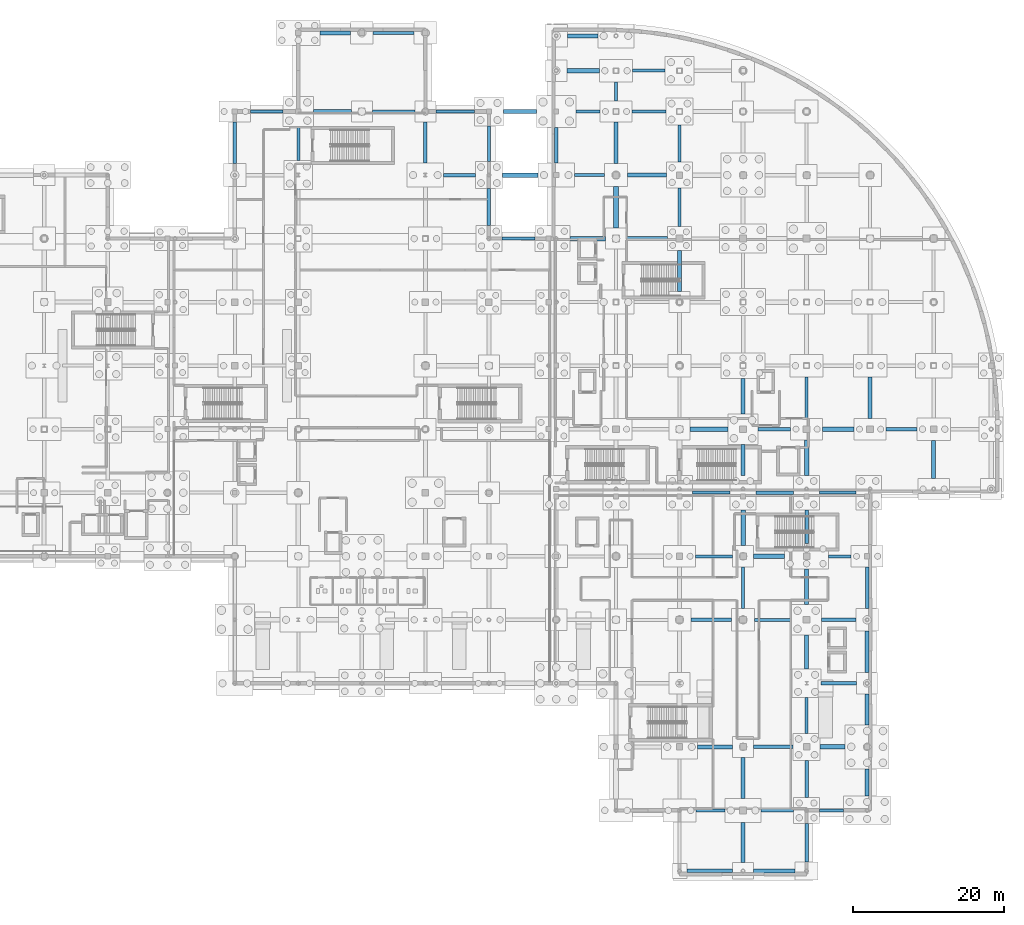
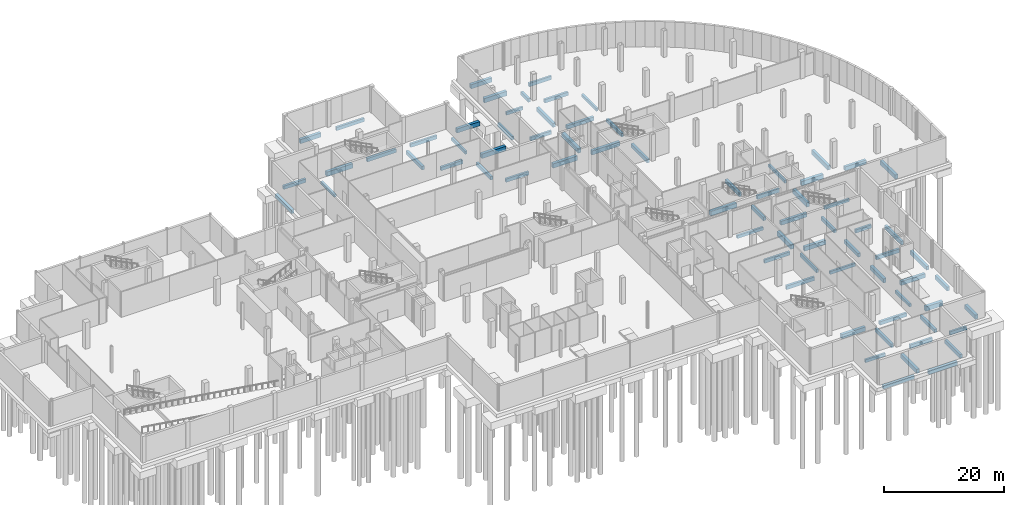
# One storey, part 23 of 49: 73 beams.
"""IFC4 building model written with IfcOpenShell, lengths in metres."""

from ifc_helpers import new_model, si_unit, direction, frame, origin, origin_2d, place, context, subcontext, project, spatial, rectangle, extrude, material, material_profile, profile_set, type_object, element, save


model = new_model("IFC4")

# Units and contexts
model_context = context("Model", 3, precision=1e-05, world=origin(), true_north=direction((0.0, 1.0)))
body_context = subcontext(model_context, "Body", "Model", "MODEL_VIEW")
ifc_project = project(units=[si_unit("LENGTHUNIT", "METRE"), si_unit("AREAUNIT", "SQUARE_METRE"), si_unit("VOLUMEUNIT", "CUBIC_METRE"), si_unit("PLANEANGLEUNIT", "RADIAN"), si_unit("MASSUNIT", "GRAM", prefix="KILO"), si_unit("THERMODYNAMICTEMPERATUREUNIT", "KELVIN")], contexts=[model_context])

# Site, building, storey
site_placement = place(None, origin())
site = spatial("IfcSite", under=ifc_project, at=site_placement, CompositionType="ELEMENT")
building_placement = place(site_placement, origin())
building = spatial("IfcBuilding", under=site, at=building_placement, Name="Lustrewick Department Store", CompositionType="ELEMENT")
storey_placement = place(building_placement, frame((0.0, 0.0, -5.39990234375)))
storey = spatial("IfcBuildingStorey", under=building, at=storey_placement, Name="B1", CompositionType="ELEMENT", Elevation=-5.39990234375)

# Beams
ifc_material = material(Name="Concrete C40", Category="concrete")
ifc_material_profile_1 = material_profile(ifc_material, rectangle(XDim=0.60009765625, YDim=0.89990234375, at=origin_2d()), Name="RC 600x900")
ifc_profile_set_1 = profile_set([ifc_material_profile_1], Name="Concrete C40")
beam_type_1 = type_object("IfcBeamType", Name="GB01", PredefinedType="BEAM", material=ifc_profile_set_1)
beam_1_placement = place(storey_placement, frame((77.60009765625, 100.800048828125, -1.150146484375), z_axis=(1.0, 0.0, 0.0), x_axis=(0.0, 1.0, 0.0)))
element("IfcBeam", 1, at=beam_1_placement, inside=storey, type_object=beam_type_1, Name="Ground Tie Beam GB01 0081", PredefinedType="BEAM", context=body_context, shape_type="SweptSolid", body=[
    extrude(rectangle(XDim=0.60009765625, YDim=0.89990234375, at=origin_2d()), origin(), (0.0, 0.0, 1.0), 5.0),
])
for number, where, z_axis, x_axis, name in (
    (2, (102.60009765625, 92.39990234375, -1.150146484375), (1.0, 0.0, 0.0), (0.0, 1.0, 0.0), "Ground Tie Beam GB01 0121"),
    (3, (111.5, 84.0, -1.150146484375), (1.0, 0.0, 0.0), (0.0, 1.0, 0.0), "Ground Tie Beam GB01 0129"),
):
    element("IfcBeam", number, at=place(storey_placement, frame(where, z_axis=z_axis, x_axis=x_axis)), inside=storey, type_object=beam_type_1, Name=name, PredefinedType="BEAM", context=body_context, shape_type="SweptSolid", body=[
        extrude(rectangle(XDim=0.60009765625, YDim=0.89990234375, at=origin_2d()), origin(), (0.0, 0.0, 1.0), 4.699951171875),
    ])
beam_2_placement = place(storey_placement, frame((134.39990234375, 43.39990234375, -1.150146484375), z_axis=(0.0, 1.0, 0.0), x_axis=(-1.0, 0.0, 0.0)))
element("IfcBeam", 4, at=beam_2_placement, inside=storey, type_object=beam_type_1, Name="Ground Tie Beam GB01 0169", PredefinedType="BEAM", context=body_context, shape_type="SweptSolid", body=[
    extrude(rectangle(XDim=0.60009765625, YDim=0.89990234375, at=origin_2d()), origin(), (0.0, 0.0, 1.0), 4.7001953125),
])
beam_3_placement = place(storey_placement, frame((144.60009765625, 16.800048828125, -1.150146484375), z_axis=(1.0, 0.0, 0.0), x_axis=(0.0, 1.0, 0.0)))
element("IfcBeam", 5, at=beam_3_placement, inside=storey, type_object=beam_type_1, Name="Ground Tie Beam GB01 0177", PredefinedType="BEAM", context=body_context, shape_type="SweptSolid", body=[
    extrude(rectangle(XDim=0.60009765625, YDim=0.89990234375, at=origin_2d()), origin(), (0.0, 0.0, 1.0), 3.2998046875),
])
beam_4_placement = place(storey_placement, frame((142.800048828125, 52.699951171875, -1.150146484375), z_axis=(0.0, 1.0, 0.0), x_axis=(-1.0, 0.0, 0.0)))
element("IfcBeam", 6, at=beam_4_placement, inside=storey, type_object=beam_type_1, Name="Ground Tie Beam GB01 0185", PredefinedType="BEAM", context=body_context, shape_type="SweptSolid", body=[
    extrude(rectangle(XDim=0.60009765625, YDim=0.89990234375, at=origin_2d()), origin(), (0.0, 0.0, 1.0), 4.699951171875),
])
beam_5_placement = place(storey_placement, frame((111.10009765625, 106.199951171875, -1.150146484375), z_axis=(1.0, 0.0, 0.0), x_axis=(0.0, 1.0, 0.0)))
element("IfcBeam", 7, at=beam_5_placement, inside=storey, type_object=beam_type_1, Name="Ground Tie Beam GB01 0193", PredefinedType="BEAM", context=body_context, shape_type="SweptSolid", body=[
    extrude(rectangle(XDim=0.60009765625, YDim=0.89990234375, at=origin_2d()), origin(), (0.0, 0.0, 1.0), 4.2998046875),
])
beam_6_placement = place(storey_placement, frame((117.60009765625, 85.39990234375, -1.150146484375), z_axis=(0.0, 1.0, 0.0), x_axis=(-1.0, 0.0, 0.0)))
element("IfcBeam", 8, at=beam_6_placement, inside=storey, type_object=beam_type_1, Name="Ground Tie Beam GB01 0201", PredefinedType="BEAM", context=body_context, shape_type="SweptSolid", body=[
    extrude(rectangle(XDim=0.60009765625, YDim=0.89990234375, at=origin_2d()), origin(), (0.0, 0.0, 1.0), 5.5),
])
beam_7_placement = place(storey_placement, frame((127.39990234375, 58.800048828125, -1.150146484375), z_axis=(1.0, 0.0, 0.0), x_axis=(0.0, 1.0, 0.0)))
element("IfcBeam", 9, at=beam_7_placement, inside=storey, type_object=beam_type_1, Name="Ground Tie Beam GB01 0209", PredefinedType="BEAM", context=body_context, shape_type="SweptSolid", body=[
    extrude(rectangle(XDim=0.60009765625, YDim=0.89990234375, at=origin_2d()), origin(), (0.0, 0.0, 1.0), 5.0),
])
beam_8_placement = place(storey_placement, frame((144.89990234375, 58.800048828125, -1.150146484375), z_axis=(1.0, 0.0, 0.0), x_axis=(0.0, 1.0, 0.0)))
element("IfcBeam", 10, at=beam_8_placement, inside=storey, type_object=beam_type_1, Name="Ground Tie Beam GB01 0233", PredefinedType="BEAM", context=body_context, shape_type="SweptSolid", body=[
    extrude(rectangle(XDim=0.60009765625, YDim=0.89990234375, at=origin_2d()), origin(), (0.0, 0.0, 1.0), 4.2001953125),
])
ifc_material_profile_2 = material_profile(ifc_material, rectangle(XDim=0.550048828125, YDim=0.85009765625, at=origin_2d()), Name="RC 550x850")
ifc_profile_set_2 = profile_set([ifc_material_profile_2], Name="Concrete C40")
beam_type_2 = type_object("IfcBeamType", Name="GB02", PredefinedType="BEAM", material=ifc_profile_set_2)
beam_9_placement = place(storey_placement, frame((78.5, 111.199951171875, -1.125), z_axis=(1.0, 0.0, 0.0), x_axis=(0.0, 1.0, 0.0)))
element("IfcBeam", 11, at=beam_9_placement, inside=storey, type_object=beam_type_2, Name="Ground Tie Beam GB02 0082", PredefinedType="BEAM", context=body_context, shape_type="SweptSolid", body=[
    extrude(rectangle(XDim=0.550048828125, YDim=0.85009765625, at=origin_2d()), origin(), (0.0, 0.0, 1.0), 4.0),
])
beam_10_placement = place(storey_placement, frame((102.699951171875, 100.800048828125, -1.125), z_axis=(1.0, 0.0, 0.0), x_axis=(0.0, 1.0, 0.0)))
element("IfcBeam", 12, at=beam_10_placement, inside=storey, type_object=beam_type_2, Name="Ground Tie Beam GB02 0122", PredefinedType="BEAM", context=body_context, shape_type="SweptSolid", body=[
    extrude(rectangle(XDim=0.550048828125, YDim=0.85009765625, at=origin_2d()), origin(), (0.0, 0.0, 1.0), 4.400146484375),
])
beam_11_placement = place(storey_placement, frame((128.39990234375, 16.800048828125, -1.125), z_axis=(1.0, 0.0, 0.0), x_axis=(0.0, 1.0, 0.0)))
element("IfcBeam", 13, at=beam_11_placement, inside=storey, type_object=beam_type_2, Name="Ground Tie Beam GB02 0154", PredefinedType="BEAM", context=body_context, shape_type="SweptSolid", body=[
    extrude(rectangle(XDim=0.550048828125, YDim=0.85009765625, at=origin_2d()), origin(), (0.0, 0.0, 1.0), 4.60009765625),
])
beam_12_placement = place(storey_placement, frame((134.39990234375, 1.5, -1.125), z_axis=(0.0, 1.0, 0.0), x_axis=(-1.0, 0.0, 0.0)))
element("IfcBeam", 14, at=beam_12_placement, inside=storey, type_object=beam_type_2, Name="Ground Tie Beam GB02 0162", PredefinedType="BEAM", context=body_context, shape_type="SweptSolid", body=[
    extrude(rectangle(XDim=0.550048828125, YDim=0.85009765625, at=origin_2d()), origin(), (0.0, 0.0, 1.0), 5.300048828125),
])
beam_13_placement = place(storey_placement, frame((135.800048828125, 42.0, -1.125), z_axis=(1.0, 0.0, 0.0), x_axis=(0.0, 1.0, 0.0)))
element("IfcBeam", 15, at=beam_13_placement, inside=storey, type_object=beam_type_2, Name="Ground Tie Beam GB02 0170", PredefinedType="BEAM", context=body_context, shape_type="SweptSolid", body=[
    extrude(rectangle(XDim=0.550048828125, YDim=0.85009765625, at=origin_2d()), origin(), (0.0, 0.0, 1.0), 4.099853515625),
])
beam_14_placement = place(storey_placement, frame((142.800048828125, 27.10009765625, -1.125), z_axis=(0.0, 1.0, 0.0), x_axis=(-1.0, 0.0, 0.0)))
element("IfcBeam", 16, at=beam_14_placement, inside=storey, type_object=beam_type_2, Name="Ground Tie Beam GB02 0178", PredefinedType="BEAM", context=body_context, shape_type="SweptSolid", body=[
    extrude(rectangle(XDim=0.550048828125, YDim=0.85009765625, at=origin_2d()), origin(), (0.0, 0.0, 1.0), 4.5),
])
beam_15_placement = place(storey_placement, frame((150.800048828125, 10.300048828125, -1.125), z_axis=(0.0, 1.0, 0.0), x_axis=(-1.0, 0.0, 0.0)))
element("IfcBeam", 17, at=beam_15_placement, inside=storey, type_object=beam_type_2, Name="Ground Tie Beam GB02 0186", PredefinedType="BEAM", context=body_context, shape_type="SweptSolid", body=[
    extrude(rectangle(XDim=0.550048828125, YDim=0.85009765625, at=origin_2d()), origin(), (0.0, 0.0, 1.0), 3.599853515625),
])
beam_16_placement = place(storey_placement, frame((111.199951171875, 110.800048828125, -1.125), z_axis=(1.0, 0.0, 0.0), x_axis=(0.0, 1.0, 0.0)))
element("IfcBeam", 18, at=beam_16_placement, inside=storey, type_object=beam_type_2, Name="Ground Tie Beam GB02 0194", PredefinedType="BEAM", context=body_context, shape_type="SweptSolid", body=[
    extrude(rectangle(XDim=0.550048828125, YDim=0.85009765625, at=origin_2d()), origin(), (0.0, 0.0, 1.0), 4.0),
])
beam_17_placement = place(storey_placement, frame((119.0, 84.0, -1.125), z_axis=(1.0, 0.0, 0.0), x_axis=(0.0, 1.0, 0.0)))
element("IfcBeam", 19, at=beam_17_placement, inside=storey, type_object=beam_type_2, Name="Ground Tie Beam GB02 0202", PredefinedType="BEAM", context=body_context, shape_type="SweptSolid", body=[
    extrude(rectangle(XDim=0.550048828125, YDim=0.85009765625, at=origin_2d()), origin(), (0.0, 0.0, 1.0), 5.39990234375),
])
beam_18_placement = place(storey_placement, frame((151.199951171875, 60.199951171875, -1.125), z_axis=(0.0, 1.0, 0.0), x_axis=(-1.0, 0.0, 0.0)))
element("IfcBeam", 20, at=beam_18_placement, inside=storey, type_object=beam_type_2, Name="Ground Tie Beam GB02 0242", PredefinedType="BEAM", context=body_context, shape_type="SweptSolid", body=[
    extrude(rectangle(XDim=0.550048828125, YDim=0.85009765625, at=origin_2d()), origin(), (0.0, 0.0, 1.0), 5.5),
])
beam_19_placement = place(storey_placement, frame((159.60009765625, 52.300048828125, -1.125), z_axis=(0.0, 1.0, 0.0), x_axis=(-1.0, 0.0, 0.0)))
element("IfcBeam", 21, at=beam_19_placement, inside=storey, type_object=beam_type_2, Name="Ground Tie Beam GB02 0250", PredefinedType="BEAM", context=body_context, shape_type="SweptSolid", body=[
    extrude(rectangle(XDim=0.550048828125, YDim=0.85009765625, at=origin_2d()), origin(), (0.0, 0.0, 1.0), 5.0),
])
ifc_material_profile_3 = material_profile(ifc_material, rectangle(XDim=0.5, YDim=0.800048828125, at=origin_2d()), Name="RC 500x800")
ifc_profile_set_3 = profile_set([ifc_material_profile_3], Name="Concrete C40")
beam_type_3 = type_object("IfcBeamType", Name="GB03", PredefinedType="BEAM", material=ifc_profile_set_3)
beam_20_placement = place(storey_placement, frame((135.800048828125, 0.39990234375, -1.10009765625), z_axis=(1.0, 0.0, 0.0), x_axis=(0.0, 1.0, 0.0)))
element("IfcBeam", 22, at=beam_20_placement, inside=storey, type_object=beam_type_3, Name="Ground Tie Beam GB03 0163", PredefinedType="BEAM", context=body_context, shape_type="SweptSolid", body=[
    extrude(rectangle(XDim=0.5, YDim=0.800048828125, at=origin_2d()), origin(), (0.0, 0.0, 1.0), 5.5),
])
beam_21_placement = place(storey_placement, frame((136.10009765625, 50.39990234375, -1.10009765625), z_axis=(1.0, 0.0, 0.0), x_axis=(0.0, 1.0, 0.0)))
element("IfcBeam", 23, at=beam_21_placement, inside=storey, type_object=beam_type_3, Name="Ground Tie Beam GB03 0171", PredefinedType="BEAM", context=body_context, shape_type="SweptSolid", body=[
    extrude(rectangle(XDim=0.5, YDim=0.800048828125, at=origin_2d()), origin(), (0.0, 0.0, 1.0), 5.0),
])
beam_22_placement = place(storey_placement, frame((144.699951171875, 25.199951171875, -1.10009765625), z_axis=(1.0, 0.0, 0.0), x_axis=(0.0, 1.0, 0.0)))
element("IfcBeam", 24, at=beam_22_placement, inside=storey, type_object=beam_type_3, Name="Ground Tie Beam GB03 0179", PredefinedType="BEAM", context=body_context, shape_type="SweptSolid", body=[
    extrude(rectangle(XDim=0.5, YDim=0.800048828125, at=origin_2d()), origin(), (0.0, 0.0, 1.0), 4.699951171875),
])
beam_23_placement = place(storey_placement, frame((150.800048828125, 19.699951171875, -1.10009765625), z_axis=(0.0, 1.0, 0.0), x_axis=(-1.0, 0.0, 0.0)))
element("IfcBeam", 25, at=beam_23_placement, inside=storey, type_object=beam_type_3, Name="Ground Tie Beam GB03 0187", PredefinedType="BEAM", context=body_context, shape_type="SweptSolid", body=[
    extrude(rectangle(XDim=0.5, YDim=0.800048828125, at=origin_2d()), origin(), (0.0, 0.0, 1.0), 4.10009765625),
])
beam_24_placement = place(storey_placement, frame((117.60009765625, 93.89990234375, -1.10009765625), z_axis=(0.0, 1.0, 0.0), x_axis=(-1.0, 0.0, 0.0)))
element("IfcBeam", 26, at=beam_24_placement, inside=storey, type_object=beam_type_3, Name="Ground Tie Beam GB03 0203", PredefinedType="BEAM", context=body_context, shape_type="SweptSolid", body=[
    extrude(rectangle(XDim=0.5, YDim=0.800048828125, at=origin_2d()), origin(), (0.0, 0.0, 1.0), 5.5),
])
beam_25_placement = place(storey_placement, frame((153.300048828125, 58.800048828125, -1.10009765625), z_axis=(1.0, 0.0, 0.0), x_axis=(0.0, 1.0, 0.0)))
element("IfcBeam", 27, at=beam_25_placement, inside=storey, type_object=beam_type_3, Name="Ground Tie Beam GB03 0243", PredefinedType="BEAM", context=body_context, shape_type="SweptSolid", body=[
    extrude(rectangle(XDim=0.5, YDim=0.800048828125, at=origin_2d()), origin(), (0.0, 0.0, 1.0), 4.099853515625),
])
ifc_material_profile_4 = material_profile(ifc_material, rectangle(XDim=0.5, YDim=0.75, at=origin_2d()), Name="RC 500x750")
ifc_profile_set_4 = profile_set([ifc_material_profile_4], Name="Concrete C40")
beam_type_4 = type_object("IfcBeamType", Name="GB04", PredefinedType="BEAM", material=ifc_profile_set_4)
beam_26_placement = place(storey_placement, frame((67.199951171875, 93.89990234375, -1.0751953125), z_axis=(0.0, 1.0, 0.0), x_axis=(-1.0, 0.0, 0.0)))
element("IfcBeam", 28, at=beam_26_placement, inside=storey, type_object=beam_type_4, Name="Ground Tie Beam GB04 0068", PredefinedType="BEAM", context=body_context, shape_type="SweptSolid", body=[
    extrude(rectangle(XDim=0.5, YDim=0.75, at=origin_2d()), origin(), (0.0, 0.0, 1.0), 5.5),
])
beam_27_placement = place(storey_placement, frame((134.39990234375, 10.0, -1.0751953125), z_axis=(0.0, 1.0, 0.0), x_axis=(-1.0, 0.0, 0.0)))
element("IfcBeam", 29, at=beam_27_placement, inside=storey, type_object=beam_type_4, Name="Ground Tie Beam GB04 0164", PredefinedType="BEAM", context=body_context, shape_type="SweptSolid", body=[
    extrude(rectangle(XDim=0.5, YDim=0.75, at=origin_2d()), origin(), (0.0, 0.0, 1.0), 5.39990234375),
])
beam_28_placement = place(storey_placement, frame((134.39990234375, 52.699951171875, -1.0751953125), z_axis=(0.0, 1.0, 0.0), x_axis=(-1.0, 0.0, 0.0)))
element("IfcBeam", 30, at=beam_28_placement, inside=storey, type_object=beam_type_4, Name="Ground Tie Beam GB04 0172", PredefinedType="BEAM", context=body_context, shape_type="SweptSolid", body=[
    extrude(rectangle(XDim=0.5, YDim=0.75, at=origin_2d()), origin(), (0.0, 0.0, 1.0), 4.10009765625),
])
beam_29_placement = place(storey_placement, frame((142.800048828125, 35.60009765625, -1.0751953125), z_axis=(0.0, 1.0, 0.0), x_axis=(-1.0, 0.0, 0.0)))
element("IfcBeam", 31, at=beam_29_placement, inside=storey, type_object=beam_type_4, Name="Ground Tie Beam GB04 0180", PredefinedType="BEAM", context=body_context, shape_type="SweptSolid", body=[
    extrude(rectangle(XDim=0.5, YDim=0.75, at=origin_2d()), origin(), (0.0, 0.0, 1.0), 4.699951171875),
])
beam_30_placement = place(storey_placement, frame((150.800048828125, 26.60009765625, -1.0751953125), z_axis=(0.0, 1.0, 0.0), x_axis=(-1.0, 0.0, 0.0)))
element("IfcBeam", 32, at=beam_30_placement, inside=storey, type_object=beam_type_4, Name="Ground Tie Beam GB04 0188", PredefinedType="BEAM", context=body_context, shape_type="SweptSolid", body=[
    extrude(rectangle(XDim=0.5, YDim=0.75, at=origin_2d()), origin(), (0.0, 0.0, 1.0), 5.5),
])
beam_31_placement = place(storey_placement, frame((119.10009765625, 92.39990234375, -1.0751953125), z_axis=(1.0, 0.0, 0.0), x_axis=(0.0, 1.0, 0.0)))
element("IfcBeam", 33, at=beam_31_placement, inside=storey, type_object=beam_type_4, Name="Ground Tie Beam GB04 0204", PredefinedType="BEAM", context=body_context, shape_type="SweptSolid", body=[
    extrude(rectangle(XDim=0.5, YDim=0.75, at=origin_2d()), origin(), (0.0, 0.0, 1.0), 5.199951171875),
])
beam_32_placement = place(storey_placement, frame((126.0, 77.0, -1.0751953125), z_axis=(0.0, 1.0, 0.0), x_axis=(-1.0, 0.0, 0.0)))
element("IfcBeam", 34, at=beam_32_placement, inside=storey, type_object=beam_type_4, Name="Ground Tie Beam GB04 0212", PredefinedType="BEAM", context=body_context, shape_type="SweptSolid", body=[
    extrude(rectangle(XDim=0.5, YDim=0.75, at=origin_2d()), origin(), (0.0, 0.0, 1.0), 5.39990234375),
])
beam_33_placement = place(storey_placement, frame((134.39990234375, 60.800048828125, -1.0751953125), z_axis=(0.0, 1.0, 0.0), x_axis=(-1.0, 0.0, 0.0)))
element("IfcBeam", 35, at=beam_33_placement, inside=storey, type_object=beam_type_4, Name="Ground Tie Beam GB04 0220", PredefinedType="BEAM", context=body_context, shape_type="SweptSolid", body=[
    extrude(rectangle(XDim=0.5, YDim=0.75, at=origin_2d()), origin(), (0.0, 0.0, 1.0), 4.699951171875),
])
ifc_material_profile_5 = material_profile(ifc_material, rectangle(XDim=0.449951171875, YDim=0.75, at=origin_2d()), Name="RC 450x750")
ifc_profile_set_5 = profile_set([ifc_material_profile_5], Name="Concrete C40")
beam_type_5 = type_object("IfcBeamType", Name="GB05", PredefinedType="BEAM", material=ifc_profile_set_5)
for number, where, z_axis, x_axis, name in (
    (36, (92.39990234375, 94.0, -1.0751953125), (0.0, 1.0, 0.0), (-1.0, 0.0, 0.0), "Ground Tie Beam GB05 0101"),
    (37, (127.5, 33.60009765625, -1.0751953125), (1.0, 0.0, 0.0), (0.0, 1.0, 0.0), "Ground Tie Beam GB05 0157"),
):
    element("IfcBeam", number, at=place(storey_placement, frame(where, z_axis=z_axis, x_axis=x_axis)), inside=storey, type_object=beam_type_5, Name=name, PredefinedType="BEAM", context=body_context, shape_type="SweptSolid", body=[
        extrude(rectangle(XDim=0.449951171875, YDim=0.75, at=origin_2d()), origin(), (0.0, 0.0, 1.0), 5.39990234375),
    ])
beam_34_placement = place(storey_placement, frame((136.800048828125, 8.39990234375, -1.0751953125), z_axis=(1.0, 0.0, 0.0), x_axis=(0.0, 1.0, 0.0)))
element("IfcBeam", 38, at=beam_34_placement, inside=storey, type_object=beam_type_5, Name="Ground Tie Beam GB05 0165", PredefinedType="BEAM", context=body_context, shape_type="SweptSolid", body=[
    extrude(rectangle(XDim=0.449951171875, YDim=0.75, at=origin_2d()), origin(), (0.0, 0.0, 1.0), 4.300048828125),
])
beam_35_placement = place(storey_placement, frame((142.800048828125, 1.60009765625, -1.0751953125), z_axis=(0.0, 1.0, 0.0), x_axis=(-1.0, 0.0, 0.0)))
element("IfcBeam", 39, at=beam_35_placement, inside=storey, type_object=beam_type_5, Name="Ground Tie Beam GB05 0173", PredefinedType="BEAM", context=body_context, shape_type="SweptSolid", body=[
    extrude(rectangle(XDim=0.449951171875, YDim=0.75, at=origin_2d()), origin(), (0.0, 0.0, 1.0), 5.099853515625),
])
beam_36_placement = place(storey_placement, frame((144.800048828125, 33.60009765625, -1.0751953125), z_axis=(1.0, 0.0, 0.0), x_axis=(0.0, 1.0, 0.0)))
element("IfcBeam", 40, at=beam_36_placement, inside=storey, type_object=beam_type_5, Name="Ground Tie Beam GB05 0181", PredefinedType="BEAM", context=body_context, shape_type="SweptSolid", body=[
    extrude(rectangle(XDim=0.449951171875, YDim=0.75, at=origin_2d()), origin(), (0.0, 0.0, 1.0), 4.5),
])
beam_37_placement = place(storey_placement, frame((150.800048828125, 35.10009765625, -1.0751953125), z_axis=(0.0, 1.0, 0.0), x_axis=(-1.0, 0.0, 0.0)))
element("IfcBeam", 41, at=beam_37_placement, inside=storey, type_object=beam_type_5, Name="Ground Tie Beam GB05 0189", PredefinedType="BEAM", context=body_context, shape_type="SweptSolid", body=[
    extrude(rectangle(XDim=0.449951171875, YDim=0.75, at=origin_2d()), origin(), (0.0, 0.0, 1.0), 5.5),
])
beam_38_placement = place(storey_placement, frame((117.60009765625, 102.199951171875, -1.0751953125), z_axis=(0.0, 1.0, 0.0), x_axis=(-1.0, 0.0, 0.0)))
element("IfcBeam", 42, at=beam_38_placement, inside=storey, type_object=beam_type_5, Name="Ground Tie Beam GB05 0205", PredefinedType="BEAM", context=body_context, shape_type="SweptSolid", body=[
    extrude(rectangle(XDim=0.449951171875, YDim=0.75, at=origin_2d()), origin(), (0.0, 0.0, 1.0), 2.5),
])
beam_39_placement = place(storey_placement, frame((136.39990234375, 58.800048828125, -1.0751953125), z_axis=(1.0, 0.0, 0.0), x_axis=(0.0, 1.0, 0.0)))
element("IfcBeam", 43, at=beam_39_placement, inside=storey, type_object=beam_type_5, Name="Ground Tie Beam GB05 0221", PredefinedType="BEAM", context=body_context, shape_type="SweptSolid", body=[
    extrude(rectangle(XDim=0.449951171875, YDim=0.75, at=origin_2d()), origin(), (0.0, 0.0, 1.0), 4.300048828125),
])
ifc_material_profile_6 = material_profile(ifc_material, rectangle(XDim=0.449951171875, YDim=0.699951171875, at=origin_2d()), Name="RC 450x700")
ifc_profile_set_6 = profile_set([ifc_material_profile_6], Name="Concrete C40")
beam_type_6 = type_object("IfcBeamType", Name="GB06", PredefinedType="BEAM", material=ifc_profile_set_6)
beam_40_placement = place(storey_placement, frame((69.300048828125, 100.800048828125, -1.050048828125), z_axis=(1.0, 0.0, 0.0), x_axis=(0.0, 1.0, 0.0)))
element("IfcBeam", 44, at=beam_40_placement, inside=storey, type_object=beam_type_6, Name="Ground Tie Beam GB06 0070", PredefinedType="BEAM", context=body_context, shape_type="SweptSolid", body=[
    extrude(rectangle(XDim=0.449951171875, YDim=0.699951171875, at=origin_2d()), origin(), (0.0, 0.0, 1.0), 4.300048828125),
])
beam_41_placement = place(storey_placement, frame((85.39990234375, 100.800048828125, -1.050048828125), z_axis=(1.0, 0.0, 0.0), x_axis=(0.0, 1.0, 0.0)))
element("IfcBeam", 45, at=beam_41_placement, inside=storey, type_object=beam_type_6, Name="Ground Tie Beam GB06 0086", PredefinedType="BEAM", context=body_context, shape_type="SweptSolid", body=[
    extrude(rectangle(XDim=0.449951171875, YDim=0.699951171875, at=origin_2d()), origin(), (0.0, 0.0, 1.0), 5.60009765625),
])
beam_42_placement = place(storey_placement, frame((94.800048828125, 92.39990234375, -1.050048828125), z_axis=(1.0, 0.0, 0.0), x_axis=(0.0, 1.0, 0.0)))
element("IfcBeam", 46, at=beam_42_placement, inside=storey, type_object=beam_type_6, Name="Ground Tie Beam GB06 0102", PredefinedType="BEAM", context=body_context, shape_type="SweptSolid", body=[
    extrude(rectangle(XDim=0.449951171875, YDim=0.699951171875, at=origin_2d()), origin(), (0.0, 0.0, 1.0), 4.199951171875),
])
beam_43_placement = place(storey_placement, frame((100.800048828125, 85.699951171875, -1.050048828125), z_axis=(0.0, 1.0, 0.0), x_axis=(-1.0, 0.0, 0.0)))
element("IfcBeam", 47, at=beam_43_placement, inside=storey, type_object=beam_type_6, Name="Ground Tie Beam GB06 0118", PredefinedType="BEAM", context=body_context, shape_type="SweptSolid", body=[
    extrude(rectangle(XDim=0.449951171875, YDim=0.699951171875, at=origin_2d()), origin(), (0.0, 0.0, 1.0), 4.900146484375),
])
beam_44_placement = place(storey_placement, frame((127.0, 0.39990234375, -1.050048828125), z_axis=(1.0, 0.0, 0.0), x_axis=(0.0, 1.0, 0.0)))
element("IfcBeam", 48, at=beam_44_placement, inside=storey, type_object=beam_type_6, Name="Ground Tie Beam GB06 0150", PredefinedType="BEAM", context=body_context, shape_type="SweptSolid", body=[
    extrude(rectangle(XDim=0.449951171875, YDim=0.699951171875, at=origin_2d()), origin(), (0.0, 0.0, 1.0), 6.0),
])
beam_45_placement = place(storey_placement, frame((135.800048828125, 16.800048828125, -1.050048828125), z_axis=(1.0, 0.0, 0.0), x_axis=(0.0, 1.0, 0.0)))
element("IfcBeam", 49, at=beam_45_placement, inside=storey, type_object=beam_type_6, Name="Ground Tie Beam GB06 0166", PredefinedType="BEAM", context=body_context, shape_type="SweptSolid", body=[
    extrude(rectangle(XDim=0.449951171875, YDim=0.699951171875, at=origin_2d()), origin(), (0.0, 0.0, 1.0), 5.199951171875),
])
beam_46_placement = place(storey_placement, frame((142.800048828125, 10.10009765625, -1.050048828125), z_axis=(0.0, 1.0, 0.0), x_axis=(-1.0, 0.0, 0.0)))
element("IfcBeam", 50, at=beam_46_placement, inside=storey, type_object=beam_type_6, Name="Ground Tie Beam GB06 0174", PredefinedType="BEAM", context=body_context, shape_type="SweptSolid", body=[
    extrude(rectangle(XDim=0.449951171875, YDim=0.699951171875, at=origin_2d()), origin(), (0.0, 0.0, 1.0), 4.89990234375),
])
beam_47_placement = place(storey_placement, frame((142.800048828125, 43.699951171875, -1.050048828125), z_axis=(0.0, 1.0, 0.0), x_axis=(-1.0, 0.0, 0.0)))
element("IfcBeam", 51, at=beam_47_placement, inside=storey, type_object=beam_type_6, Name="Ground Tie Beam GB06 0182", PredefinedType="BEAM", context=body_context, shape_type="SweptSolid", body=[
    extrude(rectangle(XDim=0.449951171875, YDim=0.699951171875, at=origin_2d()), origin(), (0.0, 0.0, 1.0), 4.400146484375),
])
beam_48_placement = place(storey_placement, frame((109.699951171875, 94.0, -1.050048828125), z_axis=(0.0, 1.0, 0.0), x_axis=(-1.0, 0.0, 0.0)))
element("IfcBeam", 52, at=beam_48_placement, inside=storey, type_object=beam_type_6, Name="Ground Tie Beam GB06 0190", PredefinedType="BEAM", context=body_context, shape_type="SweptSolid", body=[
    extrude(rectangle(XDim=0.449951171875, YDim=0.699951171875, at=origin_2d()), origin(), (0.0, 0.0, 1.0), 4.699951171875),
])
beam_49_placement = place(storey_placement, frame((119.699951171875, 100.800048828125, -1.050048828125), z_axis=(1.0, 0.0, 0.0), x_axis=(0.0, 1.0, 0.0)))
element("IfcBeam", 53, at=beam_49_placement, inside=storey, type_object=beam_type_6, Name="Ground Tie Beam GB06 0206", PredefinedType="BEAM", context=body_context, shape_type="SweptSolid", body=[
    extrude(rectangle(XDim=0.449951171875, YDim=0.699951171875, at=origin_2d()), origin(), (0.0, 0.0, 1.0), 4.5),
])
beam_50_placement = place(storey_placement, frame((126.0, 85.60009765625, -1.050048828125), z_axis=(0.0, 1.0, 0.0), x_axis=(-1.0, 0.0, 0.0)))
element("IfcBeam", 54, at=beam_50_placement, inside=storey, type_object=beam_type_6, Name="Ground Tie Beam GB06 0214", PredefinedType="BEAM", context=body_context, shape_type="SweptSolid", body=[
    extrude(rectangle(XDim=0.449951171875, YDim=0.699951171875, at=origin_2d()), origin(), (0.0, 0.0, 1.0), 5.099853515625),
])
ifc_material_profile_7 = material_profile(ifc_material, rectangle(XDim=0.39990234375, YDim=0.699951171875, at=origin_2d()), Name="RC 400x700")
ifc_profile_set_7 = profile_set([ifc_material_profile_7], Name="Concrete C40")
beam_type_7 = type_object("IfcBeamType", Name="GB07", PredefinedType="BEAM", material=ifc_profile_set_7)
beam_51_placement = place(storey_placement, frame((85.5, 111.199951171875, -1.050048828125), z_axis=(1.0, 0.0, 0.0), x_axis=(0.0, 1.0, 0.0)))
element("IfcBeam", 55, at=beam_51_placement, inside=storey, type_object=beam_type_7, Name="Ground Tie Beam GB07 0087", PredefinedType="BEAM", context=body_context, shape_type="SweptSolid", body=[
    extrude(rectangle(XDim=0.39990234375, YDim=0.699951171875, at=origin_2d()), origin(), (0.0, 0.0, 1.0), 5.39990234375),
])
beam_52_placement = place(storey_placement, frame((93.800048828125, 100.800048828125, -1.050048828125), z_axis=(1.0, 0.0, 0.0), x_axis=(0.0, 1.0, 0.0)))
element("IfcBeam", 56, at=beam_52_placement, inside=storey, type_object=beam_type_7, Name="Ground Tie Beam GB07 0103", PredefinedType="BEAM", context=body_context, shape_type="SweptSolid", body=[
    extrude(rectangle(XDim=0.39990234375, YDim=0.699951171875, at=origin_2d()), origin(), (0.0, 0.0, 1.0), 5.099853515625),
])
beam_53_placement = place(storey_placement, frame((102.5, 84.0, -1.050048828125), z_axis=(1.0, 0.0, 0.0), x_axis=(0.0, 1.0, 0.0)))
element("IfcBeam", 57, at=beam_53_placement, inside=storey, type_object=beam_type_7, Name="Ground Tie Beam GB07 0119", PredefinedType="BEAM", context=body_context, shape_type="SweptSolid", body=[
    extrude(rectangle(XDim=0.39990234375, YDim=0.699951171875, at=origin_2d()), origin(), (0.0, 0.0, 1.0), 4.39990234375),
])
beam_54_placement = place(storey_placement, frame((128.10009765625, 42.0, -1.050048828125), z_axis=(1.0, 0.0, 0.0), x_axis=(0.0, 1.0, 0.0)))
element("IfcBeam", 58, at=beam_54_placement, inside=storey, type_object=beam_type_7, Name="Ground Tie Beam GB07 0159", PredefinedType="BEAM", context=body_context, shape_type="SweptSolid", body=[
    extrude(rectangle(XDim=0.39990234375, YDim=0.699951171875, at=origin_2d()), origin(), (0.0, 0.0, 1.0), 4.89990234375),
])
beam_55_placement = place(storey_placement, frame((134.39990234375, 35.10009765625, -1.050048828125), z_axis=(0.0, 1.0, 0.0), x_axis=(-1.0, 0.0, 0.0)))
element("IfcBeam", 59, at=beam_55_placement, inside=storey, type_object=beam_type_7, Name="Ground Tie Beam GB07 0167", PredefinedType="BEAM", context=body_context, shape_type="SweptSolid", body=[
    extrude(rectangle(XDim=0.39990234375, YDim=0.699951171875, at=origin_2d()), origin(), (0.0, 0.0, 1.0), 5.5),
])
beam_56_placement = place(storey_placement, frame((144.5, 8.39990234375, -1.050048828125), z_axis=(1.0, 0.0, 0.0), x_axis=(0.0, 1.0, 0.0)))
element("IfcBeam", 60, at=beam_56_placement, inside=storey, type_object=beam_type_7, Name="Ground Tie Beam GB07 0175", PredefinedType="BEAM", context=body_context, shape_type="SweptSolid", body=[
    extrude(rectangle(XDim=0.39990234375, YDim=0.699951171875, at=origin_2d()), origin(), (0.0, 0.0, 1.0), 3.199951171875),
])
beam_57_placement = place(storey_placement, frame((145.699951171875, 42.0, -1.050048828125), z_axis=(1.0, 0.0, 0.0), x_axis=(0.0, 1.0, 0.0)))
element("IfcBeam", 61, at=beam_57_placement, inside=storey, type_object=beam_type_7, Name="Ground Tie Beam GB07 0183", PredefinedType="BEAM", context=body_context, shape_type="SweptSolid", body=[
    extrude(rectangle(XDim=0.39990234375, YDim=0.699951171875, at=origin_2d()), origin(), (0.0, 0.0, 1.0), 3.0),
])
beam_58_placement = place(storey_placement, frame((112.10009765625, 92.39990234375, -1.050048828125), z_axis=(1.0, 0.0, 0.0), x_axis=(0.0, 1.0, 0.0)))
element("IfcBeam", 62, at=beam_58_placement, inside=storey, type_object=beam_type_7, Name="Ground Tie Beam GB07 0191", PredefinedType="BEAM", context=body_context, shape_type="SweptSolid", body=[
    extrude(rectangle(XDim=0.39990234375, YDim=0.699951171875, at=origin_2d()), origin(), (0.0, 0.0, 1.0), 4.0),
])
beam_59_placement = place(storey_placement, frame((119.800048828125, 106.199951171875, -1.050048828125), z_axis=(1.0, 0.0, 0.0), x_axis=(0.0, 1.0, 0.0)))
element("IfcBeam", 63, at=beam_59_placement, inside=storey, type_object=beam_type_7, Name="Ground Tie Beam GB07 0207", PredefinedType="BEAM", context=body_context, shape_type="SweptSolid", body=[
    extrude(rectangle(XDim=0.39990234375, YDim=0.699951171875, at=origin_2d()), origin(), (0.0, 0.0, 1.0), 4.300048828125),
])
ifc_material_profile_8 = material_profile(ifc_material, rectangle(XDim=0.39990234375, YDim=0.60009765625, at=origin_2d()), Name="RC 400x600")
ifc_profile_set_8 = profile_set([ifc_material_profile_8], Name="Concrete C40")
beam_type_8 = type_object("IfcBeamType", Name="GB08", PredefinedType="BEAM", material=ifc_profile_set_8)
beam_60_placement = place(storey_placement, frame((75.60009765625, 94.300048828125, -1.0), z_axis=(0.0, 1.0, 0.0), x_axis=(-1.0, 0.0, 0.0)))
element("IfcBeam", 64, at=beam_60_placement, inside=storey, type_object=beam_type_8, Name="Ground Tie Beam GB08 0080", PredefinedType="BEAM", context=body_context, shape_type="SweptSolid", body=[
    extrude(rectangle(XDim=0.39990234375, YDim=0.60009765625, at=origin_2d()), origin(), (0.0, 0.0, 1.0), 4.5),
])
beam_61_placement = place(storey_placement, frame((100.800048828125, 94.199951171875, -1.0), z_axis=(0.0, 1.0, 0.0), x_axis=(-1.0, 0.0, 0.0)))
element("IfcBeam", 65, at=beam_61_placement, inside=storey, type_object=beam_type_8, Name="Ground Tie Beam GB08 0120", PredefinedType="BEAM", context=body_context, shape_type="SweptSolid", body=[
    extrude(rectangle(XDim=0.39990234375, YDim=0.60009765625, at=origin_2d()), origin(), (0.0, 0.0, 1.0), 4.699951171875),
])
beam_62_placement = place(storey_placement, frame((128.199951171875, 8.39990234375, -1.0), z_axis=(1.0, 0.0, 0.0), x_axis=(0.0, 1.0, 0.0)))
element("IfcBeam", 66, at=beam_62_placement, inside=storey, type_object=beam_type_8, Name="Ground Tie Beam GB08 0152", PredefinedType="BEAM", context=body_context, shape_type="SweptSolid", body=[
    extrude(rectangle(XDim=0.39990234375, YDim=0.60009765625, at=origin_2d()), origin(), (0.0, 0.0, 1.0), 3.800048828125),
])
beam_63_placement = place(storey_placement, frame((127.699951171875, 50.39990234375, -1.0), z_axis=(1.0, 0.0, 0.0), x_axis=(0.0, 1.0, 0.0)))
element("IfcBeam", 67, at=beam_63_placement, inside=storey, type_object=beam_type_8, Name="Ground Tie Beam GB08 0160", PredefinedType="BEAM", context=body_context, shape_type="SweptSolid", body=[
    extrude(rectangle(XDim=0.39990234375, YDim=0.60009765625, at=origin_2d()), origin(), (0.0, 0.0, 1.0), 5.0),
])
beam_64_placement = place(storey_placement, frame((135.89990234375, 33.60009765625, -1.0), z_axis=(1.0, 0.0, 0.0), x_axis=(0.0, 1.0, 0.0)))
element("IfcBeam", 68, at=beam_64_placement, inside=storey, type_object=beam_type_8, Name="Ground Tie Beam GB08 0168", PredefinedType="BEAM", context=body_context, shape_type="SweptSolid", body=[
    extrude(rectangle(XDim=0.39990234375, YDim=0.60009765625, at=origin_2d()), origin(), (0.0, 0.0, 1.0), 4.900146484375),
])
beam_65_placement = place(storey_placement, frame((142.800048828125, 18.60009765625, -1.0), z_axis=(0.0, 1.0, 0.0), x_axis=(-1.0, 0.0, 0.0)))
element("IfcBeam", 69, at=beam_65_placement, inside=storey, type_object=beam_type_8, Name="Ground Tie Beam GB08 0176", PredefinedType="BEAM", context=body_context, shape_type="SweptSolid", body=[
    extrude(rectangle(XDim=0.39990234375, YDim=0.60009765625, at=origin_2d()), origin(), (0.0, 0.0, 1.0), 4.699951171875),
])
beam_66_placement = place(storey_placement, frame((144.5, 50.39990234375, -1.0), z_axis=(1.0, 0.0, 0.0), x_axis=(0.0, 1.0, 0.0)))
element("IfcBeam", 70, at=beam_66_placement, inside=storey, type_object=beam_type_8, Name="Ground Tie Beam GB08 0184", PredefinedType="BEAM", context=body_context, shape_type="SweptSolid", body=[
    extrude(rectangle(XDim=0.39990234375, YDim=0.60009765625, at=origin_2d()), origin(), (0.0, 0.0, 1.0), 4.800048828125),
])
beam_67_placement = place(storey_placement, frame((112.300048828125, 100.800048828125, -1.0), z_axis=(1.0, 0.0, 0.0), x_axis=(0.0, 1.0, 0.0)))
element("IfcBeam", 71, at=beam_67_placement, inside=storey, type_object=beam_type_8, Name="Ground Tie Beam GB08 0192", PredefinedType="BEAM", context=body_context, shape_type="SweptSolid", body=[
    extrude(rectangle(XDim=0.39990234375, YDim=0.60009765625, at=origin_2d()), origin(), (0.0, 0.0, 1.0), 3.199951171875),
])
beam_68_placement = place(storey_placement, frame((126.0, 94.10009765625, -1.0), z_axis=(0.0, 1.0, 0.0), x_axis=(-1.0, 0.0, 0.0)))
element("IfcBeam", 72, at=beam_68_placement, inside=storey, type_object=beam_type_8, Name="Ground Tie Beam GB08 0216", PredefinedType="BEAM", context=body_context, shape_type="SweptSolid", body=[
    extrude(rectangle(XDim=0.39990234375, YDim=0.60009765625, at=origin_2d()), origin(), (0.0, 0.0, 1.0), 4.89990234375),
])
beam_69_placement = place(storey_placement, frame((142.800048828125, 60.199951171875, -1.0), z_axis=(0.0, 1.0, 0.0), x_axis=(-1.0, 0.0, 0.0)))
element("IfcBeam", 73, at=beam_69_placement, inside=storey, type_object=beam_type_8, Name="Ground Tie Beam GB08 0232", PredefinedType="BEAM", context=body_context, shape_type="SweptSolid", body=[
    extrude(rectangle(XDim=0.39990234375, YDim=0.60009765625, at=origin_2d()), origin(), (0.0, 0.0, 1.0), 5.5),
])

save(model, "model.ifc")
